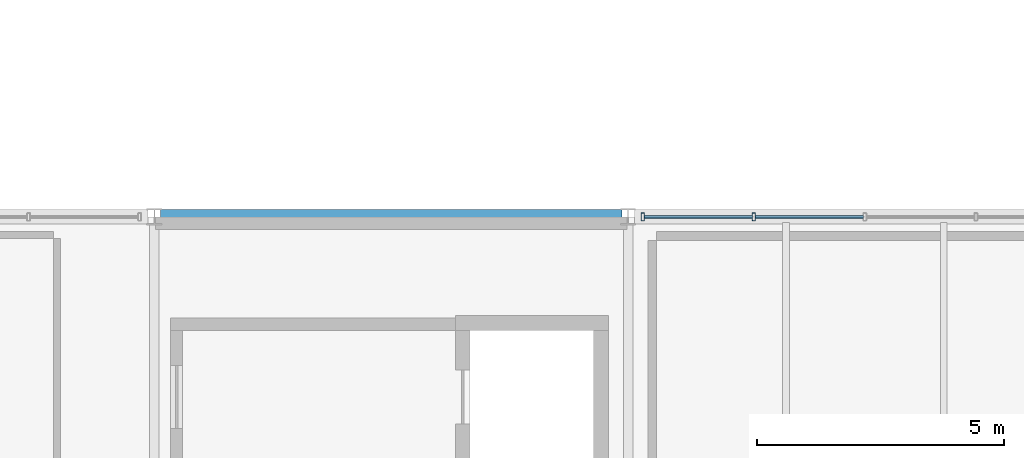
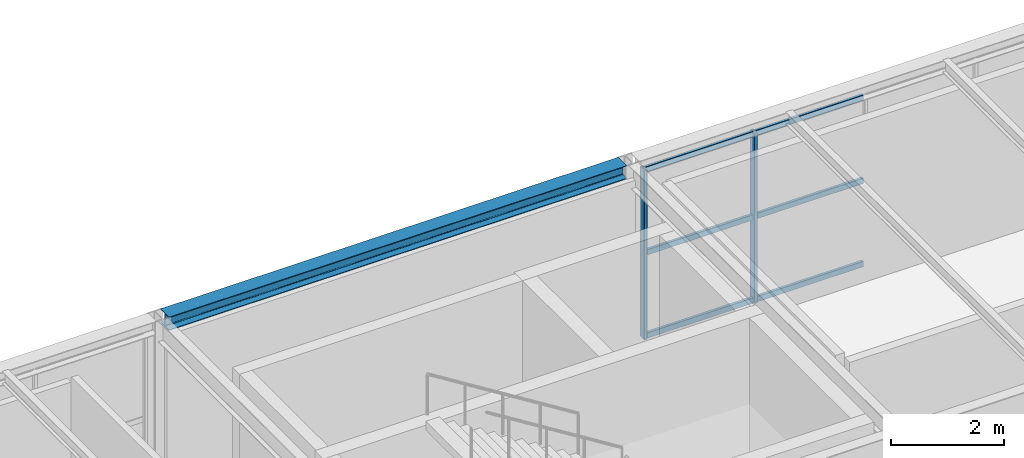
# One storey, part 26 of 50: 8 members, 1 beam, 1 element without a shape of its own.
"""IFC4 building model written with IfcOpenShell, lengths in metres."""

from ifc_helpers import new_model, si_unit, direction, frame, origin, origin_2d, place, context, subcontext, project, spatial, hollow_rectangle, i_section, extrude, material, material_profile, profile_set, type_object, element, aggregate, save


model = new_model("IFC4")

# Units and contexts
model_context = context("Model", 3, precision=1e-05, world=origin(), true_north=direction((0.0, 1.0)))
body_context = subcontext(model_context, "Body", "Model", "MODEL_VIEW")
ifc_project = project(units=[si_unit("LENGTHUNIT", "METRE"), si_unit("AREAUNIT", "SQUARE_METRE"), si_unit("VOLUMEUNIT", "CUBIC_METRE"), si_unit("PLANEANGLEUNIT", "RADIAN"), si_unit("MASSUNIT", "GRAM", prefix="KILO")], contexts=[model_context])

# Site, building, storey
site_placement = place(None, origin())
site = spatial("IfcSite", under=ifc_project, at=site_placement, CompositionType="ELEMENT")
building_placement = place(site_placement, origin())
building = spatial("IfcBuilding", under=site, at=building_placement, Name="Coralgate Yard Interchange", CompositionType="ELEMENT")
storey_placement = place(building_placement, frame((0.0, 0.0, 14.699951171875)))
storey = spatial("IfcBuildingStorey", under=building, at=storey_placement, Name="L03", CompositionType="ELEMENT", Elevation=14.699951171875)

# Beam
ifc_material_1 = material(Name="Structural steel S355J2", Category="steel")
ifc_material_profile_1 = material_profile(ifc_material_1, i_section(OverallWidth=0.300048828125, OverallDepth=0.2900390625, WebThickness=0.008544921875, FlangeThickness=0.013916015625, FilletRadius=0.027099609375, at=origin_2d()), Name="HEA 300")
ifc_profile_set_1 = profile_set([ifc_material_profile_1], Name="Structural steel S355J2")
beam_type = type_object("IfcBeamType", Name="BM-SP-2", PredefinedType="SPANDREL", material=ifc_profile_set_1)
beam_placement = place(storey_placement, frame((48.12548828125, 19.199951171875, 3.804931640625), z_axis=(1.0, 0.0, 0.0), x_axis=(0.0, 1.0, 0.0)))
element("IfcBeam", 1, at=beam_placement, inside=storey, type_object=beam_type, Name="L03 primary grid beam Y2 X5-6", PredefinedType="SPANDREL", context=body_context, shape_type="SweptSolid", body=[
    extrude(i_section(OverallWidth=0.300048828125, OverallDepth=0.2900390625, WebThickness=0.008544921875, FlangeThickness=0.013916015625, FilletRadius=0.027099609375, at=origin_2d()), origin(), (0.0, 0.0, 1.0), 9.348876953125),
])

# Curtain wall, members
ifc_material_2 = material(Name="Anodised coastal aluminium and solar-control low-E glass", Category="aluminium")
curtain_wall_type = type_object("IfcCurtainWallType", Name="CW-CW-L03-A", PredefinedType="NOTDEFINED", material=ifc_material_2)
curtain_wall_placement = place(storey_placement, origin())
curtain_wall = element("IfcCurtainWall", 2, at=curtain_wall_placement, inside=storey, type_object=curtain_wall_type, Name="L03 unitised curtain wall CW-L03-N-06-01", PredefinedType="NOTDEFINED")
ifc_material_3 = material(Name="Anodised coastal aluminium 6063-T6", Category="aluminium")
ifc_material_profile_2 = material_profile(ifc_material_3, hollow_rectangle(XDim=0.06494140625, YDim=0.159912109375, WallThickness=0.00390625, InnerFilletRadius=0.00390625, OuterFilletRadius=0.008056640625, at=origin_2d()), Name="ALU 65x160x4")
ifc_profile_set_2 = profile_set([ifc_material_profile_2], Name="Anodised coastal aluminium 6063-T6")
member_type_1 = type_object("IfcMemberType", Name="MB-MUL-160", PredefinedType="MULLION", material=ifc_profile_set_2)
member_1_placement = place(storey_placement, frame((57.89990234375, 19.199951171875, 0.0), z_axis=(0.0, 0.0, 1.0), x_axis=(1.0, 0.0, 0.0)))
member_1 = element("IfcMember", 3, at=member_1_placement, type_object=member_type_1, Name="CW-L03-N-06-01 vertical mullion 1", PredefinedType="MULLION", context=body_context, shape_type="SweptSolid", body=[
    extrude(hollow_rectangle(XDim=0.06494140625, YDim=0.159912109375, WallThickness=0.00390625, InnerFilletRadius=0.00390625, OuterFilletRadius=0.008056640625, at=origin_2d()), origin(), (0.0, 0.0, 1.0), 3.66015625),
])
member_2_placement = place(storey_placement, frame((60.14990234375, 19.199951171875, 0.0), z_axis=(0.0, 0.0, 1.0), x_axis=(1.0, 0.0, 0.0)))
member_2 = element("IfcMember", 4, at=member_2_placement, type_object=member_type_1, Name="CW-L03-N-06-01 vertical mullion 2", PredefinedType="MULLION", context=body_context, shape_type="SweptSolid", body=[
    extrude(hollow_rectangle(XDim=0.06494140625, YDim=0.159912109375, WallThickness=0.00390625, InnerFilletRadius=0.00390625, OuterFilletRadius=0.008056640625, at=origin_2d()), origin(), (0.0, 0.0, 1.0), 3.66015625),
])
ifc_material_profile_3 = material_profile(ifc_material_3, hollow_rectangle(XDim=0.06005859375, YDim=0.1201171875, WallThickness=0.00341796875, InnerFilletRadius=0.00341796875, OuterFilletRadius=0.007080078125, at=origin_2d()), Name="ALU 60x120x3.5")
ifc_profile_set_3 = profile_set([ifc_material_profile_3], Name="Anodised coastal aluminium 6063-T6")
member_type_2 = type_object("IfcMemberType", Name="MB-TRN-120", PredefinedType="USERDEFINED", material=ifc_profile_set_3)
member_3_placement = place(storey_placement, frame((57.929931640625, 19.199951171875, 0.03515625), z_axis=(1.0, 0.0, 0.0), x_axis=(0.0, 1.0, 0.0)))
member_3 = element("IfcMember", 5, at=member_3_placement, type_object=member_type_2, Name="CW-L03-N-06-01 horizontal transom 1-1", ObjectType="TRANSOM", PredefinedType="USERDEFINED", context=body_context, shape_type="SweptSolid", body=[
    extrude(hollow_rectangle(XDim=0.06005859375, YDim=0.1201171875, WallThickness=0.00341796875, InnerFilletRadius=0.00341796875, OuterFilletRadius=0.007080078125, at=origin_2d()), origin(), (0.0, 0.0, 1.0), 2.190185546875),
])
member_4_placement = place(storey_placement, frame((57.929931640625, 19.199951171875, 1.830078125), z_axis=(1.0, 0.0, 0.0), x_axis=(0.0, 1.0, 0.0)))
member_4 = element("IfcMember", 6, at=member_4_placement, type_object=member_type_2, Name="CW-L03-N-06-01 horizontal transom 1-2", ObjectType="TRANSOM", PredefinedType="USERDEFINED", context=body_context, shape_type="SweptSolid", body=[
    extrude(hollow_rectangle(XDim=0.06005859375, YDim=0.1201171875, WallThickness=0.00341796875, InnerFilletRadius=0.00341796875, OuterFilletRadius=0.007080078125, at=origin_2d()), origin(), (0.0, 0.0, 1.0), 2.190185546875),
])
member_5_placement = place(storey_placement, frame((57.929931640625, 19.199951171875, 3.625), z_axis=(1.0, 0.0, 0.0), x_axis=(0.0, 1.0, 0.0)))
member_5 = element("IfcMember", 7, at=member_5_placement, type_object=member_type_2, Name="CW-L03-N-06-01 horizontal transom 1-3", ObjectType="TRANSOM", PredefinedType="USERDEFINED", context=body_context, shape_type="SweptSolid", body=[
    extrude(hollow_rectangle(XDim=0.06005859375, YDim=0.1201171875, WallThickness=0.00341796875, InnerFilletRadius=0.00341796875, OuterFilletRadius=0.007080078125, at=origin_2d()), origin(), (0.0, 0.0, 1.0), 2.190185546875),
])
member_6_placement = place(storey_placement, frame((60.179931640625, 19.199951171875, 0.03515625), z_axis=(1.0, 0.0, 0.0), x_axis=(0.0, 1.0, 0.0)))
member_6 = element("IfcMember", 8, at=member_6_placement, type_object=member_type_2, Name="CW-L03-N-06-01 horizontal transom 2-1", ObjectType="TRANSOM", PredefinedType="USERDEFINED", context=body_context, shape_type="SweptSolid", body=[
    extrude(hollow_rectangle(XDim=0.06005859375, YDim=0.1201171875, WallThickness=0.00341796875, InnerFilletRadius=0.00341796875, OuterFilletRadius=0.007080078125, at=origin_2d()), origin(), (0.0, 0.0, 1.0), 2.190185546875),
])
member_7_placement = place(storey_placement, frame((60.179931640625, 19.199951171875, 1.830078125), z_axis=(1.0, 0.0, 0.0), x_axis=(0.0, 1.0, 0.0)))
member_7 = element("IfcMember", 9, at=member_7_placement, type_object=member_type_2, Name="CW-L03-N-06-01 horizontal transom 2-2", ObjectType="TRANSOM", PredefinedType="USERDEFINED", context=body_context, shape_type="SweptSolid", body=[
    extrude(hollow_rectangle(XDim=0.06005859375, YDim=0.1201171875, WallThickness=0.00341796875, InnerFilletRadius=0.00341796875, OuterFilletRadius=0.007080078125, at=origin_2d()), origin(), (0.0, 0.0, 1.0), 2.190185546875),
])
member_8_placement = place(storey_placement, frame((60.179931640625, 19.199951171875, 3.625), z_axis=(1.0, 0.0, 0.0), x_axis=(0.0, 1.0, 0.0)))
member_8 = element("IfcMember", 10, at=member_8_placement, type_object=member_type_2, Name="CW-L03-N-06-01 horizontal transom 2-3", ObjectType="TRANSOM", PredefinedType="USERDEFINED", context=body_context, shape_type="SweptSolid", body=[
    extrude(hollow_rectangle(XDim=0.06005859375, YDim=0.1201171875, WallThickness=0.00341796875, InnerFilletRadius=0.00341796875, OuterFilletRadius=0.007080078125, at=origin_2d()), origin(), (0.0, 0.0, 1.0), 2.190185546875),
])
aggregate(curtain_wall, [member_1, member_2, member_3, member_4, member_5, member_6, member_7, member_8])

save(model, "model.ifc")
